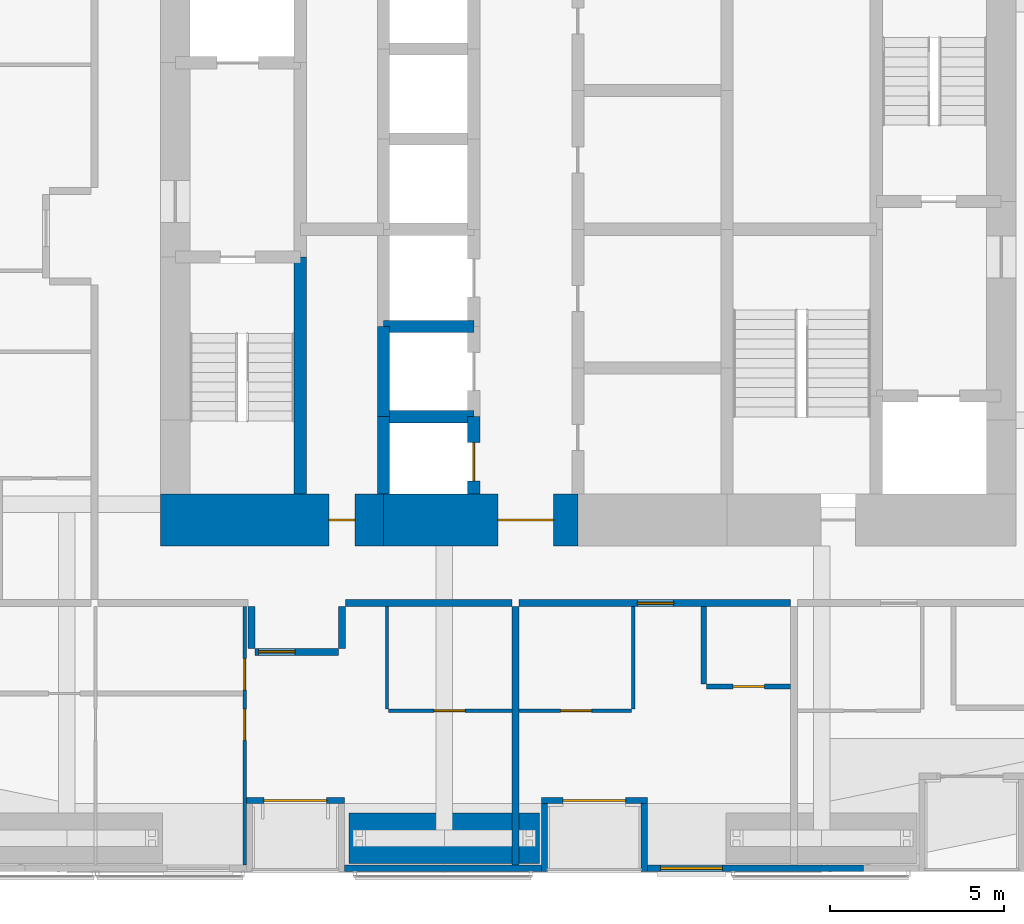
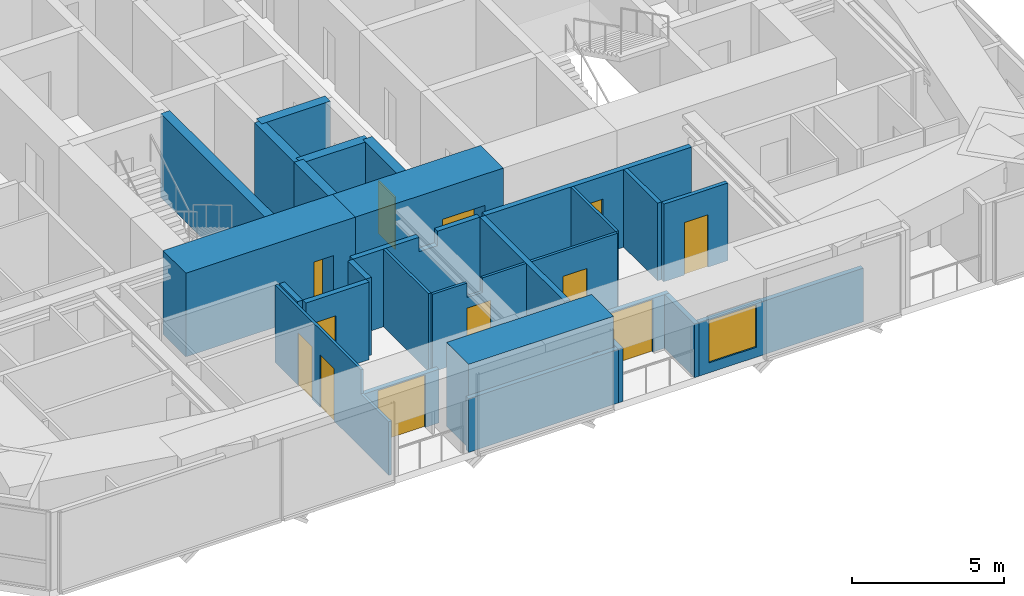
# One storey, part 17 of 23: 28 walls, 12 doors, 1 window, 13 openings.
"""IFC4 building model written with IfcOpenShell, lengths in metres."""

import ifcopenshell
import ifcopenshell.guid

model = None  # the IFC model being written
_history = None  # IfcOwnerHistory: only IFC2X3 demands one
_inside = {}  # id of a spatial element -> (the spatial element, [elements in it])
_under = {}  # id of a project, library or spatial element -> (it, [spatial elements below it])
_declared = {}  # id of a project -> (the project, [libraries it declares])
_typed = {}  # id of a type object -> (the type object, [elements of that type])
_made_of = {}  # id of a material, layer set ... -> (it, [elements and type objects made of it])


def new_model(schema):
    """Start an empty IFC model of exactly this schema.

    Asked for "IFC4X3", IfcOpenShell would pick the latest addendum, in which some entities
    have other attributes; the version numbers below select the first issue.
    IFC2X3 requires an IfcOwnerHistory on every rooted entity: one is made here for all.
    """
    global model, _history
    if schema == "IFC4X3":
        model = ifcopenshell.file(schema_version=(4, 3, 0, 0))
    else:
        model = ifcopenshell.file(schema=schema)
    _inside.clear()
    _under.clear()
    _declared.clear()
    _typed.clear()
    _made_of.clear()
    _history = None
    if model.schema == "IFC2X3":
        org = make("IfcOrganization", Name="unknown")
        user = make(
            "IfcPersonAndOrganization",
            ThePerson=make("IfcPerson", FamilyName="unknown"),
            TheOrganization=org,
        )
        app = make(
            "IfcApplication",
            ApplicationDeveloper=org,
            Version="unknown",
            ApplicationFullName="unknown",
            ApplicationIdentifier="unknown",
        )
        _history = make(
            "IfcOwnerHistory",
            OwningUser=user,
            OwningApplication=app,
            ChangeAction="ADDED",
            CreationDate=0,
        )
    return model


def make(cls, **values):
    """One entity of the class cls with the attributes given. An attribute that is None is left unset."""
    return model.create_entity(
        cls, **{name: value for name, value in values.items() if value is not None}
    )


def rooted(cls, **values):
    """An entity with a GlobalId (a new one), such as an element, a storey or a relation."""
    return make(cls, GlobalId=ifcopenshell.guid.new(), OwnerHistory=_history, **values)


def si_unit(unit_type, name, prefix=None):
    """IfcSIUnit, for example si_unit("LENGTHUNIT", "METRE", prefix="MILLI")."""
    return make("IfcSIUnit", UnitType=unit_type, Prefix=prefix, Name=name)


def assignment(units):
    """IfcUnitAssignment: the units of a project."""
    return None if units is None else make("IfcUnitAssignment", Units=units)


def point(xyz):
    """IfcCartesianPoint."""
    return None if xyz is None else make("IfcCartesianPoint", Coordinates=xyz)


def direction(xyz):
    """IfcDirection."""
    return None if xyz is None else make("IfcDirection", DirectionRatios=xyz)


def frame(location, z_axis=None, x_axis=None):
    """IfcAxis2Placement3D, a coordinate frame: its origin and axes. An axis left out is left unset."""
    return make(
        "IfcAxis2Placement3D",
        Location=point(location),
        Axis=direction(z_axis),
        RefDirection=direction(x_axis),
    )


def frame_2d(location, x_axis=None):
    """IfcAxis2Placement2D, a coordinate frame in the plane: its origin and x axis."""
    return make(
        "IfcAxis2Placement2D", Location=point(location), RefDirection=direction(x_axis)
    )


def origin():
    """The frame at (0, 0, 0) with its axes left unset."""
    return frame((0.0, 0.0, 0.0))


def place(relative_to, where):
    """IfcLocalPlacement: puts the frame where relative to a parent placement (None: the world)."""
    return make(
        "IfcLocalPlacement", PlacementRelTo=relative_to, RelativePlacement=where
    )


def context(
    kind, dimensions, precision=None, world=None, true_north=None, identifier=None
):
    """IfcGeometricRepresentationContext, for example the 3D "Model" context."""
    return make(
        "IfcGeometricRepresentationContext",
        ContextIdentifier=identifier,
        ContextType=kind,
        CoordinateSpaceDimension=dimensions,
        Precision=precision,
        WorldCoordinateSystem=world,
        TrueNorth=true_north,
    )


def subcontext(parent, identifier, kind, view, scale=None):
    """IfcGeometricRepresentationSubContext, for example "Body" below "Model"."""
    return make(
        "IfcGeometricRepresentationSubContext",
        ContextIdentifier=identifier,
        ContextType=kind,
        ParentContext=parent,
        TargetScale=scale,
        TargetView=view,
    )


def project(units=None, contexts=None):
    """IfcProject with its units and contexts."""
    return rooted(
        "IfcProject",
        Name="project",
        RepresentationContexts=contexts,
        UnitsInContext=assignment(units),
    )


def spatial(cls, under=None, at=None, **own):
    """A site, building, storey or space (cls), placed at a placement, below another one or the project."""
    s = rooted(cls, ObjectPlacement=at, **own)
    if under is not None:
        _under.setdefault(under.id(), (under, []))[1].append(s)
    return s


def polyline(points):
    """IfcPolyline through the points."""
    return make("IfcPolyline", Points=[point(p) for p in points])


def profile(cls, at=None, kind="AREA", **sizes):
    """A parametric profile (cls). Its sizes go by their IFC names, for example OverallWidth=200.0."""
    return make(cls, ProfileType=kind, Position=at, **sizes)


def rectangle(**sizes):
    """IfcRectangleProfileDef."""
    return profile("IfcRectangleProfileDef", **sizes)


def outline(outer, holes=None, kind="AREA"):
    """IfcArbitraryClosedProfileDef: a profile drawn as a closed curve; with holes, ...WithVoids."""
    if holes is None:
        return make("IfcArbitraryClosedProfileDef", ProfileType=kind, OuterCurve=outer)
    return make(
        "IfcArbitraryProfileDefWithVoids",
        ProfileType=kind,
        OuterCurve=outer,
        InnerCurves=holes,
    )


def extrude(swept, where, along, depth):
    """IfcExtrudedAreaSolid: the profile swept, set in the frame where, extruded along a direction by depth."""
    return make(
        "IfcExtrudedAreaSolid",
        SweptArea=swept,
        Position=where,
        ExtrudedDirection=direction(along),
        Depth=depth,
    )


def shape(context_of_items, identifier, shape_type, items):
    """IfcShapeRepresentation: the items that make up one representation, for example the "Body"."""
    return make(
        "IfcShapeRepresentation",
        ContextOfItems=context_of_items,
        RepresentationIdentifier=identifier,
        RepresentationType=shape_type,
        Items=items,
    )


def material(Name=None, Category=None):
    """IfcMaterial."""
    return make("IfcMaterial", Name=Name, Category=Category)


def layer(
    of_material, thickness, ventilated=None, Name=None, Category=None, Priority=None
):
    """IfcMaterialLayer: one layer of a wall or slab, of a material (None: an air gap)."""
    return make(
        "IfcMaterialLayer",
        Material=of_material,
        LayerThickness=thickness,
        IsVentilated=ventilated,
        Name=Name,
        Category=Category,
        Priority=Priority,
    )


def layer_set(layers, Name=None):
    """IfcMaterialLayerSet."""
    return make("IfcMaterialLayerSet", MaterialLayers=layers, LayerSetName=Name)


def constituent(of_material, Name=None, Category=None, fraction=None):
    """IfcMaterialConstituent: one of the materials an element consists of."""
    return make(
        "IfcMaterialConstituent",
        Name=Name,
        Material=of_material,
        Fraction=fraction,
        Category=Category,
    )


def constituent_set(constituents=None, Name=None):
    """IfcMaterialConstituentSet."""
    return make(
        "IfcMaterialConstituentSet", Name=Name, MaterialConstituents=constituents
    )


def made_of(thing, what):
    """Note that an element or type object is made of a material, layer set ...; save() writes the relation."""
    if what is not None:
        _made_of.setdefault(what.id(), (what, []))[1].append(thing)
    return thing


def type_object(cls, material=None, **own):
    """A type object (cls), such as IfcWallType, which elements share."""
    return made_of(rooted(cls, **own), material)


def element(
    cls,
    number,
    at=None,
    inside=None,
    cuts=None,
    type_object=None,
    material=None,
    context=None,
    identifier="Body",
    shape_type=None,
    held_by="IfcProductDefinitionShape",
    body=None,
    shapes=None,
    **own,
):
    """One element of the class cls, such as IfcWall. Its Tag is "e" and its number.

    at: its placement. inside: the storey or other place that contains it. cuts: it is an
    opening in that element (IfcRelVoidsElement). A single representation is given by context,
    identifier, shape_type and body (its items); several are given by shapes. held_by: the class
    of the entity that holds the representations. save() writes the other relations.
    """
    e = rooted(cls, Tag="e%d" % number, ObjectPlacement=at, **own)
    if body is not None:
        shapes = [shape(context, identifier, shape_type, body)]
    if shapes is not None:
        e.Representation = make(held_by, Representations=shapes)
    if inside is not None:
        _inside.setdefault(inside.id(), (inside, []))[1].append(e)
    if cuts is not None:
        rooted(
            "IfcRelVoidsElement", RelatingBuildingElement=cuts, RelatedOpeningElement=e
        )
    if type_object is not None:
        _typed.setdefault(type_object.id(), (type_object, []))[1].append(e)
    return made_of(e, material)


def fill(opening, filler):
    """IfcRelFillsElement: the door or window that sits in an opening."""
    return rooted(
        "IfcRelFillsElement",
        RelatingOpeningElement=opening,
        RelatedBuildingElement=filler,
    )


def aggregate(whole, parts):
    """IfcRelAggregates: a whole, such as a stair, and the parts it consists of."""
    return rooted("IfcRelAggregates", RelatingObject=whole, RelatedObjects=parts)


def save(model, path):
    """Write the relations noted so far, then the file.

    IfcRelAggregates (storeys below a building ...), IfcRelContainedInSpatialStructure (elements
    in a storey), IfcRelDefinesByType, IfcRelAssociatesMaterial and IfcRelDeclares: one each for
    every whole, place, type object, material and project.
    """
    for whole, parts in _under.values():
        aggregate(whole, parts)
    for where, things in _inside.values():
        rooted(
            "IfcRelContainedInSpatialStructure",
            RelatedElements=things,
            RelatingStructure=where,
        )
    for kind, things in _typed.values():
        rooted("IfcRelDefinesByType", RelatedObjects=things, RelatingType=kind)
    for what, things in _made_of.values():
        rooted("IfcRelAssociatesMaterial", RelatedObjects=things, RelatingMaterial=what)
    for by, libraries in _declared.values():
        rooted("IfcRelDeclares", RelatingContext=by, RelatedDefinitions=libraries)
    model.write(path)


model = new_model("IFC4")

# Units and contexts
model_context = context("Model", 3, precision=1e-05, world=origin(), true_north=direction((0.0, 1.0)))
body_context = subcontext(model_context, "Body", "Model", "MODEL_VIEW")
ifc_project = project(units=[si_unit("LENGTHUNIT", "METRE"), si_unit("AREAUNIT", "SQUARE_METRE"), si_unit("VOLUMEUNIT", "CUBIC_METRE"), si_unit("PLANEANGLEUNIT", "RADIAN"), si_unit("MASSUNIT", "GRAM", prefix="KILO")], contexts=[model_context])

# Site, building, storey
site_placement = place(None, origin())
site = spatial("IfcSite", under=ifc_project, at=site_placement, CompositionType="ELEMENT")
building_placement = place(site_placement, origin())
building = spatial("IfcBuilding", under=site, at=building_placement, Name="Jalousie Tower", CompositionType="ELEMENT")
storey_placement = place(building_placement, frame((0.0, 0.0, 84.75)))
storey = spatial("IfcBuildingStorey", under=building, at=storey_placement, Name="L22", CompositionType="ELEMENT", Elevation=84.75)

# Wall, opening, door
ifc_material_1 = material(Name="Concrete block ASTM C90", Category="concrete")
ifc_constituent_1 = constituent(ifc_material_1, Name="Body")
ifc_material_2 = material(Name="Render")
ifc_constituent_2 = constituent(ifc_material_2, Name="Finish")
ifc_constituent_set_1 = constituent_set(constituents=[ifc_constituent_1, ifc_constituent_2])
wall_type_1 = type_object("IfcWallType", Name="BATHROOM WALL 150", PredefinedType="PLUMBINGWALL", material=ifc_constituent_set_1)
wall_1_placement = place(storey_placement, frame((35.300048828125, 5.324951171875, 0.0), z_axis=(0.0, 0.0, 1.0), x_axis=(1.0, 0.0, 0.0)))
wall_1 = element("IfcWall", 1, at=wall_1_placement, inside=storey, type_object=wall_type_1, Name="Bathroom Wall 150 L22", PredefinedType="PLUMBINGWALL", context=body_context, shape_type="SweptSolid", body=[
    extrude(rectangle(XDim=2.425048828125, YDim=0.14990234375, at=frame_2d((1.21240234375, 0.0))), origin(), (0.0, 0.0, 1.0), 3.110107421875),
])
opening_1_placement = place(wall_1_placement, frame((0.77490234375, 0.0, 0.0)))
opening_1 = element("IfcOpeningElement", 2, at=opening_1_placement, cuts=wall_1, Name="Opening D3", PredefinedType="OPENING", context=body_context, shape_type="SweptSolid", body=[
    extrude(rectangle(XDim=0.89990234375, YDim=2.10009765625, at=frame_2d((0.449951171875, 1.050048828125))), frame((0.0, 0.0849609375, 0.0), z_axis=(0.0, -1.0, 0.0), x_axis=(1.0, 0.0, 0.0)), (0.0, 0.0, 1.0), 0.169921875),
])
ifc_material_3 = material(Name="Timber door", Category="wood")
door_type_1 = type_object("IfcDoorType", Name="BATHROOM DOOR 900", OperationType="SINGLE_SWING_LEFT", PredefinedType="DOOR", material=ifc_material_3)
door_1_placement = place(opening_1_placement, origin())
door_1 = element("IfcDoor", 3, at=door_1_placement, inside=storey, type_object=door_type_1, Name="Apartment 2202 bathroom door", OperationType="SINGLE_SWING_RIGHT", OverallHeight=2.10009765625, OverallWidth=0.89990234375, PredefinedType="DOOR", context=body_context, shape_type="SweptSolid", body=[
    extrude(rectangle(XDim=0.89990234375, YDim=2.10009765625, at=frame_2d((0.449951171875, 1.050048828125))), frame((0.0, 0.02490234375, 0.0), z_axis=(0.0, -1.0, 0.0), x_axis=(1.0, 0.0, 0.0)), (0.0, 0.0, 1.0), 0.050048828125),
])
fill(opening_1, door_1)

# Wall
wall_2_placement = place(storey_placement, frame((35.22509765625, 5.39990234375, 0.0), z_axis=(0.0, 0.0, 1.0), x_axis=(0.0, 1.0, 0.0)))
element("IfcWall", 4, at=wall_2_placement, inside=storey, type_object=wall_type_1, Name="Bathroom Wall 150 L22", PredefinedType="PLUMBINGWALL", context=body_context, shape_type="SweptSolid", body=[
    extrude(rectangle(XDim=2.22509765625, YDim=0.14990234375, at=frame_2d((1.112548828125, 0.0))), origin(), (0.0, 0.0, 1.0), 3.110107421875),
])

# Wall, opening, door
ifc_material_4 = material(Name="Concrete f'c 120 MPa", Category="concrete")
ifc_layer_1 = layer(ifc_material_4, 1.5)
ifc_layer_set_1 = layer_set([ifc_layer_1], Name="Concrete f'c 120 MPa")
wall_type_2 = type_object("IfcWallType", Name="CORE WALL 1500", PredefinedType="SHEAR", material=ifc_layer_set_1)
wall_3_placement = place(storey_placement, frame((19.574951171875, 10.125, 0.0), z_axis=(0.0, 0.0, 1.0), x_axis=(1.0, 0.0, 0.0)))
wall_3 = element("IfcWall", 5, at=wall_3_placement, inside=storey, type_object=wall_type_2, Name="Core wall SA L22", PredefinedType="SHEAR", context=body_context, shape_type="SweptSolid", body=[
    extrude(rectangle(XDim=6.425048828125, YDim=1.5, at=frame_2d((3.21240234375, 0.0))), origin(), (0.0, 0.0, 1.0), 3.35009765625),
])
opening_2_placement = place(wall_3_placement, frame((4.85009765625, 0.0, 0.0)))
opening_2 = element("IfcOpeningElement", 6, at=opening_2_placement, cuts=wall_3, Name="Opening D16", PredefinedType="OPENING", context=body_context, shape_type="SweptSolid", body=[
    extrude(rectangle(XDim=0.75, YDim=2.10009765625, at=frame_2d((0.375, 1.050048828125))), frame((0.0, 0.760009765625, 0.0), z_axis=(0.0, -1.0, 0.0), x_axis=(1.0, 0.0, 0.0)), (0.0, 0.0, 1.0), 1.52001953125),
])
ifc_material_5 = material(Name="Steel fire door", Category="steel")
door_type_2 = type_object("IfcDoorType", Name="RISER DOOR 750", OperationType="SINGLE_SWING_LEFT", PredefinedType="DOOR", material=ifc_material_5)
door_2_placement = place(opening_2_placement, origin())
door_2 = element("IfcDoor", 7, at=door_2_placement, inside=storey, type_object=door_type_2, Name="South riser door", OperationType="SINGLE_SWING_LEFT", OverallHeight=2.10009765625, OverallWidth=0.75, PredefinedType="DOOR", context=body_context, shape_type="SweptSolid", body=[
    extrude(rectangle(XDim=0.75, YDim=2.10009765625, at=frame_2d((0.375, 1.050048828125))), frame((0.0, 0.02490234375, 0.0), z_axis=(0.0, -1.0, 0.0), x_axis=(1.0, 0.0, 0.0)), (0.0, 0.0, 1.0), 0.050048828125),
])
fill(opening_2, door_2)

wall_4_placement = place(storey_placement, frame((26.0, 10.125, 0.0), z_axis=(0.0, 0.0, 1.0), x_axis=(1.0, 0.0, 0.0)))
wall_4 = element("IfcWall", 8, at=wall_4_placement, inside=storey, type_object=wall_type_2, Name="Core wall SB L22", PredefinedType="SHEAR", context=body_context, shape_type="SweptSolid", body=[
    extrude(rectangle(XDim=5.60009765625, YDim=1.5, at=frame_2d((2.800048828125, 0.0))), origin(), (0.0, 0.0, 1.0), 3.35009765625),
])
opening_3_placement = place(wall_4_placement, frame((3.300048828125, 0.0, 0.0)))
opening_3 = element("IfcOpeningElement", 9, at=opening_3_placement, cuts=wall_4, Name="Opening D15", PredefinedType="OPENING", context=body_context, shape_type="SweptSolid", body=[
    extrude(rectangle(XDim=1.60009765625, YDim=2.10009765625, at=frame_2d((0.800048828125, 1.050048828125))), frame((0.0, 0.760009765625, 0.0), z_axis=(0.0, -1.0, 0.0), x_axis=(1.0, 0.0, 0.0)), (0.0, 0.0, 1.0), 1.52001953125),
])
ifc_material_6 = material(Name="Steel fire door", Category="steel")
door_type_3 = type_object("IfcDoorType", Name="LIFT LOBBY DOOR 1600", OperationType="DOUBLE_DOOR_SINGLE_SWING", PredefinedType="DOOR", material=ifc_material_6)
door_3_placement = place(opening_3_placement, origin())
door_3 = element("IfcDoor", 10, at=door_3_placement, inside=storey, type_object=door_type_3, Name="Lift lobby south door", OperationType="DOUBLE_DOOR_SINGLE_SWING", OverallHeight=2.10009765625, OverallWidth=1.60009765625, PredefinedType="DOOR", context=body_context, shape_type="SweptSolid", body=[
    extrude(rectangle(XDim=1.60009765625, YDim=2.10009765625, at=frame_2d((0.800048828125, 1.050048828125))), frame((0.0, 0.02490234375, 0.0), z_axis=(0.0, -1.0, 0.0), x_axis=(1.0, 0.0, 0.0)), (0.0, 0.0, 1.0), 0.050048828125),
])
fill(opening_3, door_3)

# Walls
ifc_material_7 = material(Name="Concrete f'c 120 MPa", Category="concrete")
ifc_layer_2 = layer(ifc_material_7, 0.35009765625)
ifc_layer_set_2 = layer_set([ifc_layer_2], Name="Concrete f'c 120 MPa")
wall_type_3 = type_object("IfcWallType", Name="CORE WALL 350", PredefinedType="SHEAR", material=ifc_layer_set_2)
wall_5_placement = place(storey_placement, frame((23.60009765625, 10.875, 0.0), z_axis=(0.0, 0.0, 1.0), x_axis=(0.0, 1.0, 0.0)))
element("IfcWall", 11, at=wall_5_placement, inside=storey, type_object=wall_type_3, Name="Core wall X23.6A L22", PredefinedType="SHEAR", context=body_context, shape_type="SweptSolid", body=[
    extrude(rectangle(XDim=6.824951171875, YDim=0.35009765625, at=frame_2d((3.41259765625, 0.0))), origin(), (0.0, 0.0, 1.0), 3.35009765625),
])
wall_6_placement = place(storey_placement, frame((26.0, 10.875, 0.0), z_axis=(0.0, 0.0, 1.0), x_axis=(0.0, 1.0, 0.0)))
element("IfcWall", 12, at=wall_6_placement, inside=storey, type_object=wall_type_3, Name="Core wall X26A L22", PredefinedType="SHEAR", context=body_context, shape_type="SweptSolid", body=[
    extrude(rectangle(XDim=2.22509765625, YDim=0.35009765625, at=frame_2d((1.112548828125, 0.0))), origin(), (0.0, 0.0, 1.0), 3.35009765625),
])
wall_7_placement = place(storey_placement, frame((26.0, 13.10009765625, 0.0), z_axis=(0.0, 0.0, 1.0), x_axis=(0.0, 1.0, 0.0)))
element("IfcWall", 13, at=wall_7_placement, inside=storey, type_object=wall_type_3, Name="Core wall X26B L22", PredefinedType="SHEAR", context=body_context, shape_type="SweptSolid", body=[
    extrude(rectangle(XDim=2.599853515625, YDim=0.35009765625, at=frame_2d((1.2998046875, 0.0))), origin(), (0.0, 0.0, 1.0), 3.35009765625),
])

# Wall, opening, door
wall_8_placement = place(storey_placement, frame((28.60009765625, 10.875, 0.0), z_axis=(0.0, 0.0, 1.0), x_axis=(0.0, 1.0, 0.0)))
wall_8 = element("IfcWall", 14, at=wall_8_placement, inside=storey, type_object=wall_type_3, Name="Core wall X28.6A L22", PredefinedType="SHEAR", context=body_context, shape_type="SweptSolid", body=[
    extrude(rectangle(XDim=2.22509765625, YDim=0.35009765625, at=frame_2d((1.112548828125, 0.0))), origin(), (0.0, 0.0, 1.0), 3.35009765625),
])
opening_4_placement = place(wall_8_placement, frame((0.375, 0.0, 0.0)))
opening_4 = element("IfcOpeningElement", 15, at=opening_4_placement, cuts=wall_8, Name="Opening LD1", PredefinedType="OPENING", context=body_context, shape_type="SweptSolid", body=[
    extrude(rectangle(XDim=1.10009765625, YDim=2.10009765625, at=frame_2d((0.550048828125, 1.050048828125))), frame((0.0, 0.18505859375, 0.0), z_axis=(0.0, -1.0, 0.0), x_axis=(1.0, 0.0, 0.0)), (0.0, 0.0, 1.0), 0.3701171875),
])
ifc_material_8 = material(Name="Steel lift landing door", Category="steel")
door_type_4 = type_object("IfcDoorType", Name="LIFT LANDING DOOR 1100", OperationType="SLIDING_TO_LEFT", PredefinedType="DOOR", material=ifc_material_8)
door_4_placement = place(opening_4_placement, origin())
door_4 = element("IfcDoor", 16, at=door_4_placement, inside=storey, type_object=door_type_4, Name="Lift P1 landing door", OperationType="SLIDING_TO_LEFT", OverallHeight=2.10009765625, OverallWidth=1.10009765625, PredefinedType="DOOR", context=body_context, shape_type="SweptSolid", body=[
    extrude(rectangle(XDim=1.10009765625, YDim=2.10009765625, at=frame_2d((0.550048828125, 1.050048828125))), frame((0.0, 0.02490234375, 0.0), z_axis=(0.0, -1.0, 0.0), x_axis=(1.0, 0.0, 0.0)), (0.0, 0.0, 1.0), 0.050048828125),
])
fill(opening_4, door_4)

# Walls
for number, where, z_axis, x_axis, name in (
    (17, (26.0, 13.10009765625, 0.0), (0.0, 0.0, 1.0), (1.0, 0.0, 0.0), "Core wall Y26-13.1 L22"),
    (18, (26.0, 15.699951171875, 0.0), (0.0, 0.0, 1.0), (1.0, 0.0, 0.0), "Core wall Y26-15.7 L22"),
):
    element("IfcWall", number, at=place(storey_placement, frame(where, z_axis=z_axis, x_axis=x_axis)), inside=storey, type_object=wall_type_3, Name=name, PredefinedType="SHEAR", context=body_context, shape_type="SweptSolid", body=[
        extrude(rectangle(XDim=2.60009765625, YDim=0.35009765625, at=frame_2d((1.300048828125, 0.0))), origin(), (0.0, 0.0, 1.0), 3.35009765625),
    ])

# Wall, opening, door
ifc_material_9 = material(Name="Concrete block ASTM C90", Category="concrete")
ifc_constituent_3 = constituent(ifc_material_9, Name="Body")
ifc_material_10 = material(Name="Render")
ifc_constituent_4 = constituent(ifc_material_10, Name="Finish")
ifc_constituent_set_2 = constituent_set(constituents=[ifc_constituent_3, ifc_constituent_4])
wall_type_4 = type_object("IfcWallType", Name="CORRIDOR WALL 200", PredefinedType="PARTITIONING", material=ifc_constituent_set_2)
wall_9_placement = place(storey_placement, frame((29.89990234375, 7.72509765625, 0.0), z_axis=(0.0, 0.0, 1.0), x_axis=(1.0, 0.0, 0.0)))
wall_9 = element("IfcWall", 19, at=wall_9_placement, inside=storey, type_object=wall_type_4, Name="Corridor Wall 200 L22", PredefinedType="PARTITIONING", context=body_context, shape_type="SweptSolid", body=[
    extrude(rectangle(XDim=7.8251953125, YDim=0.199951171875, at=frame_2d((3.91259765625, 0.0))), origin(), (0.0, 0.0, 1.0), 3.110107421875),
])
opening_5_placement = place(wall_9_placement, frame((3.41259765625, 0.0, 0.0)))
opening_5 = element("IfcOpeningElement", 20, at=opening_5_placement, cuts=wall_9, Name="Opening D1", PredefinedType="OPENING", context=body_context, shape_type="SweptSolid", body=[
    extrude(rectangle(XDim=1.050048828125, YDim=2.199951171875, at=frame_2d((0.52490234375, 1.10009765625))), frame((0.0, 0.10986328125, 0.0), z_axis=(0.0, -1.0, 0.0), x_axis=(1.0, 0.0, 0.0)), (0.0, 0.0, 1.0), 0.219970703125),
])
ifc_material_11 = material(Name="Timber fire door", Category="wood")
door_type_5 = type_object("IfcDoorType", Name="APARTMENT ENTRANCE DOOR 1050", OperationType="SINGLE_SWING_LEFT", PredefinedType="DOOR", material=ifc_material_11)
door_5_placement = place(opening_5_placement, frame((1.050048828125, 0.0, 0.0), z_axis=(0.0, 0.0, 1.0), x_axis=(-1.0, 0.0, 0.0)))
door_5 = element("IfcDoor", 21, at=door_5_placement, inside=storey, type_object=door_type_5, Name="Apartment 2202 entrance", OperationType="SINGLE_SWING_RIGHT", OverallHeight=2.199951171875, OverallWidth=1.050048828125, PredefinedType="DOOR", context=body_context, shape_type="SweptSolid", body=[
    extrude(rectangle(XDim=1.050048828125, YDim=2.199951171875, at=frame_2d((0.52490234375, 1.10009765625))), frame((0.0, 0.02490234375, 0.0), z_axis=(0.0, -1.0, 0.0), x_axis=(1.0, 0.0, 0.0)), (0.0, 0.0, 1.0), 0.050048828125),
])
fill(opening_5, door_5)

# Wall
wall_10_placement = place(storey_placement, frame((24.89990234375, 7.72509765625, 0.0), z_axis=(0.0, 0.0, 1.0), x_axis=(1.0, 0.0, 0.0)))
element("IfcWall", 22, at=wall_10_placement, inside=storey, type_object=wall_type_4, Name="Corridor Wall 200 L22", PredefinedType="PARTITIONING", context=body_context, shape_type="SweptSolid", body=[
    extrude(outline(polyline([(0.0, 0.0), (4.800048828125, 0.0), (4.800048828125, 3.110107421875), (3.1962890625, 3.110107421875), (3.1962890625, 2.531005859375), (2.50390625, 2.531005859375), (2.50390625, 3.110107421875), (0.0, 3.110107421875), (0.0, 0.0)])), frame((0.0, 0.10009765625, 0.0), z_axis=(0.0, -1.0, 0.0), x_axis=(1.0, 0.0, 0.0)), (0.0, 0.0, 1.0), 0.199951171875),
])

# Wall, opening, door
wall_11_placement = place(storey_placement, frame((22.300048828125, 6.324951171875, 0.0), z_axis=(0.0, 0.0, 1.0), x_axis=(1.0, 0.0, 0.0)))
wall_11 = element("IfcWall", 23, at=wall_11_placement, inside=storey, type_object=wall_type_4, Name="Corridor Wall 200 L22", PredefinedType="PARTITIONING", context=body_context, shape_type="SweptSolid", body=[
    extrude(rectangle(XDim=2.39990234375, YDim=0.199951171875, at=frame_2d((1.199951171875, 0.0))), origin(), (0.0, 0.0, 1.0), 3.110107421875),
])
opening_6_placement = place(wall_11_placement, frame((0.10009765625, 0.0, 0.0)))
opening_6 = element("IfcOpeningElement", 24, at=opening_6_placement, cuts=wall_11, Name="Opening D1", PredefinedType="OPENING", context=body_context, shape_type="SweptSolid", body=[
    extrude(rectangle(XDim=1.050048828125, YDim=2.199951171875, at=frame_2d((0.52490234375, 1.10009765625))), frame((0.0, 0.10986328125, 0.0), z_axis=(0.0, -1.0, 0.0), x_axis=(1.0, 0.0, 0.0)), (0.0, 0.0, 1.0), 0.219970703125),
])
door_6_placement = place(opening_6_placement, frame((1.050048828125, 0.0, 0.0), z_axis=(0.0, 0.0, 1.0), x_axis=(-1.0, 0.0, 0.0)))
door_6 = element("IfcDoor", 25, at=door_6_placement, inside=storey, type_object=door_type_5, Name="Apartment 2201 entrance", OperationType="SINGLE_SWING_RIGHT", OverallHeight=2.199951171875, OverallWidth=1.050048828125, PredefinedType="DOOR", context=body_context, shape_type="SweptSolid", body=[
    extrude(rectangle(XDim=1.050048828125, YDim=2.199951171875, at=frame_2d((0.52490234375, 1.10009765625))), frame((0.0, 0.02490234375, 0.0), z_axis=(0.0, -1.0, 0.0), x_axis=(1.0, 0.0, 0.0)), (0.0, 0.0, 1.0), 0.050048828125),
])
fill(opening_6, door_6)

# Walls
for number, where, z_axis, x_axis, name in (
    (26, (22.199951171875, 7.625, 0.0), (0.0, 0.0, 1.0), (0.0, -1.0, 0.0), "Corridor Wall 200 L22"),
    (27, (24.800048828125, 7.625, 0.0), (0.0, 0.0, 1.0), (0.0, -1.0, 0.0), "Corridor Wall 200 L22"),
):
    element("IfcWall", number, at=place(storey_placement, frame(where, z_axis=z_axis, x_axis=x_axis)), inside=storey, type_object=wall_type_4, Name=name, PredefinedType="PARTITIONING", context=body_context, shape_type="SweptSolid", body=[
        extrude(rectangle(XDim=1.199951171875, YDim=0.199951171875, at=frame_2d((0.60009765625, 0.0))), origin(), (0.0, 0.0, 1.0), 3.110107421875),
    ])
ifc_material_12 = material(Name="Concrete f'c 40 MPa", Category="concrete")
ifc_constituent_5 = constituent(ifc_material_12, Name="Body")
ifc_material_13 = material(Name="Render, pastel sea green")
ifc_constituent_6 = constituent(ifc_material_13, Name="Finish")
ifc_constituent_set_3 = constituent_set(constituents=[ifc_constituent_5, ifc_constituent_6])
wall_type_5 = type_object("IfcWallType", Name="EXTERNAL WALL 175 SEA GREEN RENDER", PredefinedType="SOLIDWALL", material=ifc_constituent_set_3)
wall_12_placement = place(storey_placement, frame((24.875, 0.08740234375, 0.0), z_axis=(0.0, 0.0, 1.0), x_axis=(1.0, 0.0, 0.0)))
element("IfcWall", 28, at=wall_12_placement, inside=storey, type_object=wall_type_5, Name="External Wall 175 Sea Green Render L22", PredefinedType="SOLIDWALL", context=body_context, shape_type="SweptSolid", body=[
    extrude(rectangle(XDim=5.675048828125, YDim=0.175048828125, at=frame_2d((2.83740234375, 0.0))), origin(), (0.0, 0.0, 1.0), 2.14990234375),
])

# Wall, opening, window
wall_13_placement = place(storey_placement, frame((33.60009765625, 0.08740234375, 0.0), z_axis=(0.0, 0.0, 1.0), x_axis=(1.0, 0.0, 0.0)))
wall_13 = element("IfcWall", 29, at=wall_13_placement, inside=storey, type_object=wall_type_5, Name="External Wall 175 Sea Green Render L22-A", PredefinedType="SOLIDWALL", context=body_context, shape_type="SweptSolid", body=[
    extrude(rectangle(XDim=6.22900390625, YDim=0.175048828125, at=frame_2d((3.114501953125, 0.0))), origin(), (0.0, 0.0, 1.0), 2.14990234375),
])
opening_7_placement = place(wall_13_placement, frame((0.375, 0.0, 0.39990234375)))
opening_7 = element("IfcOpeningElement", 30, at=opening_7_placement, cuts=wall_13, Name="Opening W-BED170", PredefinedType="OPENING", context=body_context, shape_type="SweptSolid", body=[
    extrude(rectangle(XDim=1.800048828125, YDim=1.699951171875, at=frame_2d((0.89990234375, 0.85009765625))), frame((0.0, 0.097412109375, 0.0), z_axis=(0.0, -1.0, 0.0), x_axis=(1.0, 0.0, 0.0)), (0.0, 0.0, 1.0), 0.195068359375),
])
ifc_material_14 = material(Name="Aluminium frame, impact-rated glazing", Category="aluminium")
window_type = type_object("IfcWindowType", Name="WINDOW BED 1800x1700", PartitioningType="SINGLE_PANEL", PredefinedType="WINDOW", material=ifc_material_14)
window_placement = place(opening_7_placement, origin())
window = element("IfcWindow", 31, at=window_placement, inside=storey, type_object=window_type, Name="Apartment 2202 studio living and sleeping room window", OverallHeight=1.699951171875, OverallWidth=1.800048828125, PartitioningType="SINGLE_PANEL", PredefinedType="WINDOW", context=body_context, shape_type="SweptSolid", body=[
    extrude(rectangle(XDim=1.800048828125, YDim=1.699951171875, at=frame_2d((0.89990234375, 0.85009765625))), frame((0.0, 0.030029296875, 0.0), z_axis=(0.0, -1.0, 0.0), x_axis=(1.0, 0.0, 0.0)), (0.0, 0.0, 1.0), 0.06005859375),
])
fill(opening_7, window)

# Wall, opening, door
wall_14_placement = place(storey_placement, frame((22.050048828125, 2.03759765625, 0.0), z_axis=(0.0, 0.0, 1.0), x_axis=(1.0, 0.0, 0.0)))
wall_14 = element("IfcWall", 32, at=wall_14_placement, inside=storey, type_object=wall_type_5, Name="External Wall 175 Sea Green Render L22", PredefinedType="SOLIDWALL", context=body_context, shape_type="SweptSolid", body=[
    extrude(rectangle(XDim=2.824951171875, YDim=0.175048828125, at=frame_2d((1.41259765625, 0.0))), origin(), (0.0, 0.0, 1.0), 2.14990234375),
])
opening_8_placement = place(wall_14_placement, frame((0.512451171875, 0.0, 0.0)))
opening_8 = element("IfcOpeningElement", 33, at=opening_8_placement, cuts=wall_14, Name="Opening D-BAL21", PredefinedType="OPENING", context=body_context, shape_type="SweptSolid", body=[
    extrude(rectangle(XDim=1.800048828125, YDim=2.10009765625, at=frame_2d((0.89990234375, 1.050048828125))), frame((0.0, 0.097412109375, 0.0), z_axis=(0.0, -1.0, 0.0), x_axis=(1.0, 0.0, 0.0)), (0.0, 0.0, 1.0), 0.195068359375),
])
ifc_material_15 = material(Name="Aluminium frame, impact-rated glazing", Category="aluminium")
door_type_6 = type_object("IfcDoorType", Name="BALCONY DOOR 1800x2100", OperationType="SLIDING_TO_LEFT", PredefinedType="DOOR", material=ifc_material_15)
door_7_placement = place(opening_8_placement, origin())
door_7 = element("IfcDoor", 34, at=door_7_placement, inside=storey, type_object=door_type_6, Name="Apartment 2201 living and dining room loggia door", OperationType="SLIDING_TO_LEFT", OverallHeight=2.10009765625, OverallWidth=1.800048828125, PredefinedType="DOOR", context=body_context, shape_type="SweptSolid", body=[
    extrude(rectangle(XDim=1.800048828125, YDim=2.10009765625, at=frame_2d((0.89990234375, 1.050048828125))), frame((0.0, 0.02490234375, 0.0), z_axis=(0.0, -1.0, 0.0), x_axis=(1.0, 0.0, 0.0)), (0.0, 0.0, 1.0), 0.050048828125),
])
fill(opening_8, door_7)

wall_15_placement = place(storey_placement, frame((30.550048828125, 2.03759765625, 0.0), z_axis=(0.0, 0.0, 1.0), x_axis=(1.0, 0.0, 0.0)))
wall_15 = element("IfcWall", 35, at=wall_15_placement, inside=storey, type_object=wall_type_5, Name="External Wall 175 Sea Green Render L22", PredefinedType="SOLIDWALL", context=body_context, shape_type="SweptSolid", body=[
    extrude(rectangle(XDim=3.050048828125, YDim=0.175048828125, at=frame_2d((1.52490234375, 0.0))), origin(), (0.0, 0.0, 1.0), 2.14990234375),
])
opening_9_placement = place(wall_15_placement, frame((0.625, 0.0, 0.0)))
opening_9 = element("IfcOpeningElement", 36, at=opening_9_placement, cuts=wall_15, Name="Opening D-BAL21", PredefinedType="OPENING", context=body_context, shape_type="SweptSolid", body=[
    extrude(rectangle(XDim=1.800048828125, YDim=2.10009765625, at=frame_2d((0.89990234375, 1.050048828125))), frame((0.0, 0.097412109375, 0.0), z_axis=(0.0, -1.0, 0.0), x_axis=(1.0, 0.0, 0.0)), (0.0, 0.0, 1.0), 0.195068359375),
])
door_8_placement = place(opening_9_placement, origin())
door_8 = element("IfcDoor", 37, at=door_8_placement, inside=storey, type_object=door_type_6, Name="Apartment 2202 studio living and sleeping room loggia door", OperationType="SLIDING_TO_LEFT", OverallHeight=2.10009765625, OverallWidth=1.800048828125, PredefinedType="DOOR", context=body_context, shape_type="SweptSolid", body=[
    extrude(rectangle(XDim=1.800048828125, YDim=2.10009765625, at=frame_2d((0.89990234375, 1.050048828125))), frame((0.0, 0.02490234375, 0.0), z_axis=(0.0, -1.0, 0.0), x_axis=(1.0, 0.0, 0.0)), (0.0, 0.0, 1.0), 0.050048828125),
])
fill(opening_9, door_8)

# Walls
for number, where, z_axis, x_axis, name in (
    (38, (30.637451171875, 0.0, 0.0), (0.0, 0.0, 1.0), (0.0, 1.0, 0.0), "External Wall 175 Sea Green Render L22"),
    (39, (33.512451171875, 0.0, 0.0), (0.0, 0.0, 1.0), (0.0, 1.0, 0.0), "External Wall 175 Sea Green Render L22"),
):
    element("IfcWall", number, at=place(storey_placement, frame(where, z_axis=z_axis, x_axis=x_axis)), inside=storey, type_object=wall_type_5, Name=name, PredefinedType="SOLIDWALL", context=body_context, shape_type="SweptSolid", body=[
        extrude(rectangle(XDim=1.949951171875, YDim=0.175048828125, at=frame_2d((0.97509765625, 0.0))), origin(), (0.0, 0.0, 1.0), 2.14990234375),
    ])

# Wall, openings, doors
ifc_material_16 = material(Name="Gypsum board", Category="gypsum")
ifc_constituent_7 = constituent(ifc_material_16, Name="Body")
ifc_material_17 = material(Name="Light-gauge steel studs ASTM A653 SS Grade 33", Category="steel")
ifc_constituent_8 = constituent(ifc_material_17, Name="Framing")
ifc_constituent_set_4 = constituent_set(constituents=[ifc_constituent_7, ifc_constituent_8])
wall_type_6 = type_object("IfcWallType", Name="PARTITION 100", PredefinedType="PARTITIONING", material=ifc_constituent_set_4)
wall_16_placement = place(storey_placement, frame((22.0, 0.175048828125, 0.0), z_axis=(0.0, 0.0, 1.0), x_axis=(0.0, 1.0, 0.0)))
wall_16 = element("IfcWall", 40, at=wall_16_placement, inside=storey, type_object=wall_type_6, Name="Partition 100 L22", PredefinedType="PARTITIONING", context=body_context, shape_type="SweptSolid", body=[
    extrude(outline(polyline([(0.0, 0.0), (7.449951171875, 0.0), (7.449951171875, 3.110107421875), (1.8349609375, 3.110107421875), (1.8349609375, 2.14990234375), (0.0, 2.14990234375), (0.0, 3.110107421875), (0.0, 0.0)])), frame((0.0, 0.050048828125, 0.0), z_axis=(0.0, -1.0, 0.0), x_axis=(1.0, 0.0, 0.0)), (0.0, 0.0, 1.0), 0.10009765625),
])
opening_10_placement = place(wall_16_placement, frame((3.60009765625, 0.0, 0.0)))
opening_10 = element("IfcOpeningElement", 41, at=opening_10_placement, cuts=wall_16, Name="Opening D2", PredefinedType="OPENING", context=body_context, shape_type="SweptSolid", body=[
    extrude(rectangle(XDim=0.89990234375, YDim=2.10009765625, at=frame_2d((0.449951171875, 1.050048828125))), frame((0.0, 0.06005859375, 0.0), z_axis=(0.0, -1.0, 0.0), x_axis=(1.0, 0.0, 0.0)), (0.0, 0.0, 1.0), 0.1201171875),
])
opening_11_placement = place(wall_16_placement, frame((5.050048828125, 0.0, 0.0)))
opening_11 = element("IfcOpeningElement", 42, at=opening_11_placement, cuts=wall_16, Name="Opening D7", PredefinedType="OPENING", context=body_context, shape_type="SweptSolid", body=[
    extrude(rectangle(XDim=0.89990234375, YDim=2.10009765625, at=frame_2d((0.449951171875, 1.050048828125))), frame((0.0, 0.06005859375, 0.0), z_axis=(0.0, -1.0, 0.0), x_axis=(1.0, 0.0, 0.0)), (0.0, 0.0, 1.0), 0.1201171875),
])
ifc_material_18 = material(Name="Timber door", Category="wood")
door_type_7 = type_object("IfcDoorType", Name="BEDROOM DOOR 900", OperationType="SINGLE_SWING_LEFT", PredefinedType="DOOR", material=ifc_material_18)
door_9_placement = place(opening_10_placement, origin())
door_9 = element("IfcDoor", 43, at=door_9_placement, inside=storey, type_object=door_type_7, Name="Apartment 2201 bedroom 3 door", OperationType="SINGLE_SWING_RIGHT", OverallHeight=2.10009765625, OverallWidth=0.89990234375, PredefinedType="DOOR", context=body_context, shape_type="SweptSolid", body=[
    extrude(rectangle(XDim=0.89990234375, YDim=2.10009765625, at=frame_2d((0.449951171875, 1.050048828125))), frame((0.0, 0.02490234375, 0.0), z_axis=(0.0, -1.0, 0.0), x_axis=(1.0, 0.0, 0.0)), (0.0, 0.0, 1.0), 0.050048828125),
])
fill(opening_10, door_9)
ifc_material_19 = material(Name="Timber door", Category="wood")
door_type_8 = type_object("IfcDoorType", Name="INTERNAL DOOR 900", OperationType="SINGLE_SWING_LEFT", PredefinedType="DOOR", material=ifc_material_19)
door_10_placement = place(opening_11_placement, origin())
door_10 = element("IfcDoor", 44, at=door_10_placement, inside=storey, type_object=door_type_8, Name="Apartment 2201 bathroom door", OperationType="SINGLE_SWING_LEFT", OverallHeight=2.10009765625, OverallWidth=0.89990234375, PredefinedType="DOOR", context=body_context, shape_type="SweptSolid", body=[
    extrude(rectangle(XDim=0.89990234375, YDim=2.10009765625, at=frame_2d((0.449951171875, 1.050048828125))), frame((0.0, 0.02490234375, 0.0), z_axis=(0.0, -1.0, 0.0), x_axis=(1.0, 0.0, 0.0)), (0.0, 0.0, 1.0), 0.050048828125),
])
fill(opening_11, door_10)

# Wall, opening, door
wall_17_placement = place(storey_placement, frame((26.14990234375, 4.625, 0.0), z_axis=(0.0, 0.0, 1.0), x_axis=(1.0, 0.0, 0.0)))
wall_17 = element("IfcWall", 45, at=wall_17_placement, inside=storey, type_object=wall_type_6, Name="Partition 100 L22", PredefinedType="PARTITIONING", context=body_context, shape_type="SweptSolid", body=[
    extrude(outline(polyline([(0.0, 0.0), (3.550048828125, 0.0), (3.550048828125, 3.110107421875), (1.896240234375, 3.110107421875), (1.896240234375, 2.531005859375), (1.3037109375, 2.531005859375), (1.3037109375, 3.110107421875), (0.0, 3.110107421875), (0.0, 0.0)])), frame((0.0, 0.050048828125, 0.0), z_axis=(0.0, -1.0, 0.0), x_axis=(1.0, 0.0, 0.0)), (0.0, 0.0, 1.0), 0.10009765625),
])
opening_12_placement = place(wall_17_placement, frame((1.300048828125, 0.0, 0.0)))
opening_12 = element("IfcOpeningElement", 46, at=opening_12_placement, cuts=wall_17, Name="Opening D7", PredefinedType="OPENING", context=body_context, shape_type="SweptSolid", body=[
    extrude(rectangle(XDim=0.89990234375, YDim=2.10009765625, at=frame_2d((0.449951171875, 1.050048828125))), frame((0.0, 0.06005859375, 0.0), z_axis=(0.0, -1.0, 0.0), x_axis=(1.0, 0.0, 0.0)), (0.0, 0.0, 1.0), 0.1201171875),
])
door_11_placement = place(opening_12_placement, frame((0.89990234375, 0.0, 0.0), z_axis=(0.0, 0.0, 1.0), x_axis=(-1.0, 0.0, 0.0)))
door_11 = element("IfcDoor", 47, at=door_11_placement, inside=storey, type_object=door_type_8, Name="Apartment 2201 kitchen door", OperationType="SINGLE_SWING_LEFT", OverallHeight=2.10009765625, OverallWidth=0.89990234375, PredefinedType="DOOR", context=body_context, shape_type="SweptSolid", body=[
    extrude(rectangle(XDim=0.89990234375, YDim=2.10009765625, at=frame_2d((0.449951171875, 1.050048828125))), frame((0.0, 0.02490234375, 0.0), z_axis=(0.0, -1.0, 0.0), x_axis=(1.0, 0.0, 0.0)), (0.0, 0.0, 1.0), 0.050048828125),
])
fill(opening_12, door_11)

# Wall
wall_18_placement = place(storey_placement, frame((26.10009765625, 4.675048828125, 0.0), z_axis=(0.0, 0.0, 1.0), x_axis=(0.0, 1.0, 0.0)))
element("IfcWall", 48, at=wall_18_placement, inside=storey, type_object=wall_type_6, Name="Partition 100 L22", PredefinedType="PARTITIONING", context=body_context, shape_type="SweptSolid", body=[
    extrude(rectangle(XDim=2.949951171875, YDim=0.10009765625, at=frame_2d((1.47509765625, 0.0))), origin(), (0.0, 0.0, 1.0), 3.110107421875),
])

# Wall, opening, door
wall_19_placement = place(storey_placement, frame((29.89990234375, 4.625, 0.0), z_axis=(0.0, 0.0, 1.0), x_axis=(1.0, 0.0, 0.0)))
wall_19 = element("IfcWall", 49, at=wall_19_placement, inside=storey, type_object=wall_type_6, Name="Partition 100 L22", PredefinedType="PARTITIONING", context=body_context, shape_type="SweptSolid", body=[
    extrude(rectangle(XDim=3.25, YDim=0.10009765625, at=frame_2d((1.625, 0.0))), origin(), (0.0, 0.0, 1.0), 3.110107421875),
])
opening_13_placement = place(wall_19_placement, frame((1.199951171875, 0.0, 0.0)))
opening_13 = element("IfcOpeningElement", 50, at=opening_13_placement, cuts=wall_19, Name="Opening D7", PredefinedType="OPENING", context=body_context, shape_type="SweptSolid", body=[
    extrude(rectangle(XDim=0.89990234375, YDim=2.10009765625, at=frame_2d((0.449951171875, 1.050048828125))), frame((0.0, 0.06005859375, 0.0), z_axis=(0.0, -1.0, 0.0), x_axis=(1.0, 0.0, 0.0)), (0.0, 0.0, 1.0), 0.1201171875),
])
door_12_placement = place(opening_13_placement, origin())
door_12 = element("IfcDoor", 51, at=door_12_placement, inside=storey, type_object=door_type_8, Name="Apartment 2202 kitchen door", OperationType="SINGLE_SWING_RIGHT", OverallHeight=2.10009765625, OverallWidth=0.89990234375, PredefinedType="DOOR", context=body_context, shape_type="SweptSolid", body=[
    extrude(rectangle(XDim=0.89990234375, YDim=2.10009765625, at=frame_2d((0.449951171875, 1.050048828125))), frame((0.0, 0.02490234375, 0.0), z_axis=(0.0, -1.0, 0.0), x_axis=(1.0, 0.0, 0.0)), (0.0, 0.0, 1.0), 0.050048828125),
])
fill(opening_13, door_12)

# Walls
wall_20_placement = place(storey_placement, frame((33.199951171875, 4.675048828125, 0.0), z_axis=(0.0, 0.0, 1.0), x_axis=(0.0, 1.0, 0.0)))
element("IfcWall", 52, at=wall_20_placement, inside=storey, type_object=wall_type_6, Name="Partition 100 L22", PredefinedType="PARTITIONING", context=body_context, shape_type="SweptSolid", body=[
    extrude(rectangle(XDim=2.949951171875, YDim=0.10009765625, at=frame_2d((1.47509765625, 0.0))), origin(), (0.0, 0.0, 1.0), 3.110107421875),
])
ifc_material_20 = material(Name="Concrete block ASTM C90", Category="concrete")
ifc_constituent_9 = constituent(ifc_material_20, Name="Body")
ifc_material_21 = material(Name="Render")
ifc_constituent_10 = constituent(ifc_material_21, Name="Finish")
ifc_constituent_set_5 = constituent_set(constituents=[ifc_constituent_9, ifc_constituent_10])
wall_type_7 = type_object("IfcWallType", Name="PARTY WALL 200", PredefinedType="PARTITIONING", material=ifc_constituent_set_5)
wall_21_placement = place(storey_placement, frame((29.800048828125, 0.175048828125, 0.0), z_axis=(0.0, 0.0, 1.0), x_axis=(0.0, 1.0, 0.0)))
element("IfcWall", 53, at=wall_21_placement, inside=storey, type_object=wall_type_7, Name="Party Wall 200 L22", PredefinedType="PARTITIONING", context=body_context, shape_type="SweptSolid", body=[
    extrude(outline(polyline([(0.0, 0.0), (7.449951171875, 0.0), (7.449951171875, 3.110107421875), (1.885009765625, 3.110107421875), (1.885009765625, 2.14990234375), (1.021240234375, 2.14990234375), (1.021240234375, 1.98583984375), (0.52880859375, 1.98583984375), (0.52880859375, 2.14990234375), (0.0, 2.14990234375), (0.0, 0.0)])), frame((0.0, 0.10009765625, 0.0), z_axis=(0.0, -1.0, 0.0), x_axis=(1.0, 0.0, 0.0)), (0.0, 0.0, 1.0), 0.199951171875),
])
ifc_material_22 = material(Name="Concrete f'c 120 MPa", Category="concrete")
ifc_layer_3 = layer(ifc_material_22, 1.449951171875)
ifc_layer_set_3 = layer_set([ifc_layer_3], Name="Concrete f'c 120 MPa")
wall_type_8 = type_object("IfcWallType", Name="RC WALL PIER 1450", PredefinedType="SHEAR", material=ifc_layer_set_3)
wall_22_placement = place(storey_placement, frame((25.0, 0.949951171875, 0.0), z_axis=(0.0, 0.0, 1.0), x_axis=(1.0, 0.0, 0.0)))
element("IfcWall", 54, at=wall_22_placement, inside=storey, type_object=wall_type_8, Name="Wall pier 03 L22", PredefinedType="SHEAR", context=body_context, shape_type="SweptSolid", body=[
    extrude(rectangle(XDim=5.5, YDim=1.449951171875, at=frame_2d((2.75, 0.0))), origin(), (0.0, 0.0, 1.0), 3.35009765625),
])

save(model, "model.ifc")
